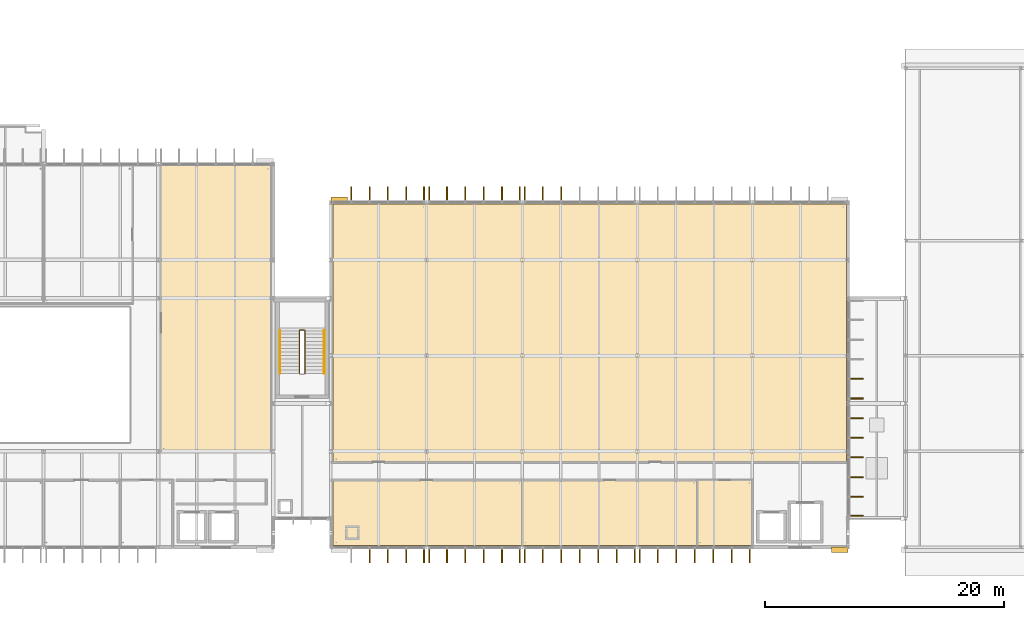
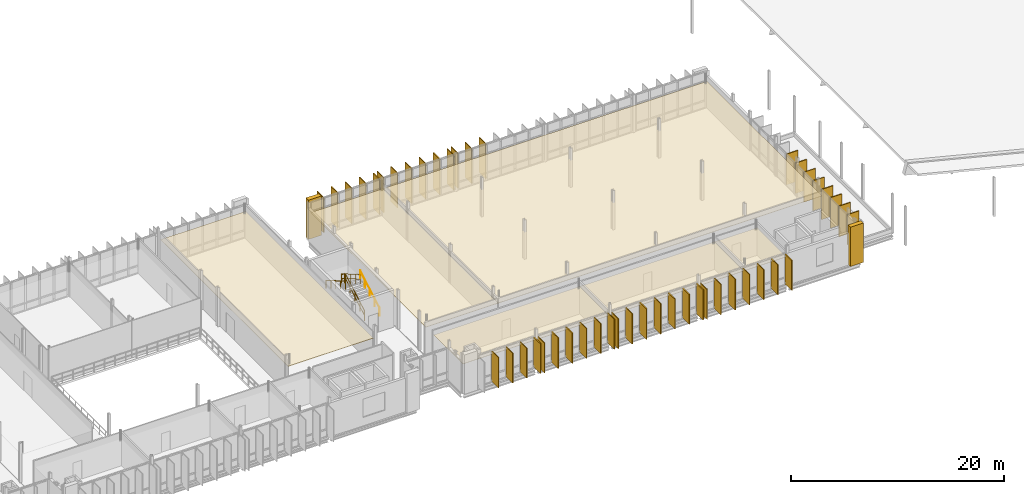
# One storey, part 89 of 93: 54 coverings, 5 railings.
"""IFC4 building model written with IfcOpenShell, lengths in metres."""

from ifc_helpers import new_model, si_unit, direction, frame, origin, origin_2d, place, context, subcontext, project, spatial, polyline, rectangle, circle, outline, extrude, material, layer, layer_set, type_object, element, save


model = new_model("IFC4")

# Units and contexts
model_context = context("Model", 3, precision=1e-05, world=origin(), true_north=direction((0.0, 1.0)))
body_context = subcontext(model_context, "Body", "Model", "MODEL_VIEW")
ifc_project = project(units=[si_unit("LENGTHUNIT", "METRE"), si_unit("AREAUNIT", "SQUARE_METRE"), si_unit("VOLUMEUNIT", "CUBIC_METRE"), si_unit("PLANEANGLEUNIT", "RADIAN"), si_unit("MASSUNIT", "GRAM", prefix="KILO")], contexts=[model_context])

# Site, building, storey
site_placement = place(None, origin())
site = spatial("IfcSite", under=ifc_project, at=site_placement, CompositionType="ELEMENT")
building_placement = place(site_placement, origin())
building = spatial("IfcBuilding", under=site, at=building_placement, Name="Dunescarp Central Library", CompositionType="ELEMENT")
storey_placement = place(building_placement, frame((0.0, 0.0, 14.10009765625)))
storey = spatial("IfcBuildingStorey", under=building, at=storey_placement, Name="L03", CompositionType="ELEMENT", Elevation=14.10009765625)

# Coverings
ifc_material_1 = material(Name="Perforated birch acoustic timber baffle", Category="wood")
ifc_layer_1 = layer(ifc_material_1, 0.050048828125)
ifc_layer_set_1 = layer_set([ifc_layer_1], Name="Perforated birch acoustic timber baffle")
covering_type_1 = type_object("IfcCoveringType", Name="ARC-COV-BAFFLE", PredefinedType="CEILING", material=ifc_layer_set_1)
covering_1_placement = place(storey_placement, frame((0.0, 0.0, 3.0498046875)))
element("IfcCovering", 1, at=covering_1_placement, inside=storey, type_object=covering_type_1, Name="L03 ceiling L03 East Stepped Reading Terrace", PredefinedType="CEILING", context=body_context, shape_type="SweptSolid", body=[
    extrude(outline(polyline([(67.3798828125, 12.780029296875), (76.6201171875, 12.780029296875), (76.6201171875, 36.679931640625), (67.3798828125, 36.679931640625), (67.3798828125, 12.780029296875)])), origin(), (0.0, 0.0, 1.0), 0.050048828125),
])
ifc_material_2 = material(Name="Mineral-fibre acoustic ceiling tile")
ifc_layer_2 = layer(ifc_material_2, 0.0400390625)
ifc_layer_set_2 = layer_set([ifc_layer_2], Name="Mineral-fibre acoustic ceiling tile")
covering_type_2 = type_object("IfcCoveringType", Name="ARC-COV-CEIL40", PredefinedType="CEILING", material=ifc_layer_set_2)
covering_2_placement = place(storey_placement, frame((0.0, 0.0, 3.0498046875)))
element("IfcCovering", 2, at=covering_2_placement, inside=storey, type_object=covering_type_2, Name="L03 ceiling Stacks Wing WC", PredefinedType="CEILING", context=body_context, shape_type="SweptSolid", body=[
    extrude(outline(polyline([(112.179931640625, 4.919921875), (116.820068359375, 4.919921875), (116.820068359375, 10.419921875), (112.179931640625, 10.419921875), (112.179931640625, 4.919921875)])), origin(), (0.0, 0.0, 1.0), 0.0400390625),
])
covering_3_placement = place(storey_placement, frame((0.0, 0.0, 3.0498046875)))
element("IfcCovering", 3, at=covering_3_placement, inside=storey, type_object=covering_type_2, Name="L03 ceiling L03 Seminar & Instruction Room", PredefinedType="CEILING", context=body_context, shape_type="SweptSolid", body=[
    extrude(outline(polyline([(81.780029296875, 4.919921875), (97.6201171875, 4.919921875), (97.6201171875, 10.419921875), (81.780029296875, 10.419921875), (81.780029296875, 4.919921875)])), origin(), (0.0, 0.0, 1.0), 0.0400390625),
])
covering_4_placement = place(storey_placement, frame((0.0, 0.0, 3.0498046875)))
element("IfcCovering", 4, at=covering_4_placement, inside=storey, type_object=covering_type_2, Name="L03 ceiling L03 Quiet Research Offices", PredefinedType="CEILING", context=body_context, shape_type="SweptSolid", body=[
    extrude(outline(polyline([(97.580078125, 4.919921875), (112.219970703125, 4.919921875), (112.219970703125, 10.419921875), (97.580078125, 10.419921875), (97.580078125, 4.919921875)])), origin(), (0.0, 0.0, 1.0), 0.0400390625),
])
covering_5_placement = place(storey_placement, frame((0.0, 0.0, 3.0498046875)))
element("IfcCovering", 5, at=covering_5_placement, inside=storey, type_object=covering_type_2, Name="L03 ceiling L03 High-Density Compact Book Stacks West", PredefinedType="CEILING", context=body_context, shape_type="SweptSolid", body=[
    extrude(outline(polyline([(81.780029296875, 11.8798828125), (89.6201171875, 11.8798828125), (89.6201171875, 33.47998046875), (81.780029296875, 33.47998046875), (81.780029296875, 11.8798828125)])), origin(), (0.0, 0.0, 1.0), 0.0400390625),
])
covering_6_placement = place(storey_placement, frame((0.0, 0.0, 3.0498046875)))
element("IfcCovering", 6, at=covering_6_placement, inside=storey, type_object=covering_type_2, Name="L03 ceiling L03 Open Lending Book Stacks East", PredefinedType="CEILING", context=body_context, shape_type="SweptSolid", body=[
    extrude(outline(polyline([(89.580078125, 11.8798828125), (124.679931640625, 11.8798828125), (124.679931640625, 33.47998046875), (89.580078125, 33.47998046875), (89.580078125, 11.8798828125)])), origin(), (0.0, 0.0, 1.0), 0.0400390625),
])
ifc_material_3 = material(Name="Glass-fibre reinforced concrete GRC", Category="concrete")
ifc_layer_3 = layer(ifc_material_3, 0.090087890625)
ifc_layer_set_3 = layer_set([ifc_layer_3], Name="Glass-fibre reinforced concrete GRC")
covering_type_3 = type_object("IfcCoveringType", Name="ARC-COV-FIN1250", PredefinedType="CLADDING", material=ifc_layer_set_3)
covering_7_placement = place(storey_placement, frame((89.385009765625, 4.137939453125, 0.1669921875), z_axis=(0.0, 0.0, 1.0), x_axis=(0.0, -1.0, 0.0)))
element("IfcCovering", 7, at=covering_7_placement, inside=storey, type_object=covering_type_3, Name="L03 parametric vertical facade fin FIN-L03-0664", PredefinedType="CLADDING", context=body_context, shape_type="SweptSolid", body=[
    extrude(rectangle(XDim=1.25, YDim=0.090087890625, at=origin_2d()), origin(), (0.0, 0.0, 1.0), 3.427978515625),
])
covering_8_placement = place(storey_placement, frame((87.89501953125, 4.137939453125, 0.180419921875), z_axis=(0.0, 0.0, 1.0), x_axis=(0.0, -1.0, 0.0)))
element("IfcCovering", 8, at=covering_8_placement, inside=storey, type_object=covering_type_3, Name="L03 parametric vertical facade fin FIN-L03-0665", PredefinedType="CLADDING", context=body_context, shape_type="SweptSolid", body=[
    extrude(rectangle(XDim=1.25, YDim=0.090087890625, at=origin_2d()), origin(), (0.0, 0.0, 1.0), 3.4150390625),
])
covering_9_placement = place(storey_placement, frame((86.364990234375, 4.137939453125, 0.16357421875), z_axis=(0.0, 0.0, 1.0), x_axis=(0.0, -1.0, 0.0)))
element("IfcCovering", 9, at=covering_9_placement, inside=storey, type_object=covering_type_3, Name="L03 parametric vertical facade fin FIN-L03-0666", PredefinedType="CLADDING", context=body_context, shape_type="SweptSolid", body=[
    extrude(rectangle(XDim=1.25, YDim=0.090087890625, at=origin_2d()), origin(), (0.0, 0.0, 1.0), 3.430908203125),
])
covering_10_placement = place(storey_placement, frame((84.8349609375, 4.137939453125, 0.123046875), z_axis=(0.0, 0.0, 1.0), x_axis=(0.0, -1.0, 0.0)))
element("IfcCovering", 10, at=covering_10_placement, inside=storey, type_object=covering_type_3, Name="L03 parametric vertical facade fin FIN-L03-0667", PredefinedType="CLADDING", context=body_context, shape_type="SweptSolid", body=[
    extrude(rectangle(XDim=1.25, YDim=0.090087890625, at=origin_2d()), origin(), (0.0, 0.0, 1.0), 3.471923828125),
])
covering_11_placement = place(storey_placement, frame((97.385009765625, 4.137939453125, 0.1669921875), z_axis=(0.0, 0.0, 1.0), x_axis=(0.0, -1.0, 0.0)))
element("IfcCovering", 11, at=covering_11_placement, inside=storey, type_object=covering_type_3, Name="L03 parametric vertical facade fin FIN-L03-0669", PredefinedType="CLADDING", context=body_context, shape_type="SweptSolid", body=[
    extrude(rectangle(XDim=1.25, YDim=0.090087890625, at=origin_2d()), origin(), (0.0, 0.0, 1.0), 3.427978515625),
])
covering_12_placement = place(storey_placement, frame((95.89501953125, 4.137939453125, 0.180419921875), z_axis=(0.0, 0.0, 1.0), x_axis=(0.0, -1.0, 0.0)))
element("IfcCovering", 12, at=covering_12_placement, inside=storey, type_object=covering_type_3, Name="L03 parametric vertical facade fin FIN-L03-0670", PredefinedType="CLADDING", context=body_context, shape_type="SweptSolid", body=[
    extrude(rectangle(XDim=1.25, YDim=0.090087890625, at=origin_2d()), origin(), (0.0, 0.0, 1.0), 3.4150390625),
])
covering_13_placement = place(storey_placement, frame((94.364990234375, 4.137939453125, 0.16357421875), z_axis=(0.0, 0.0, 1.0), x_axis=(0.0, -1.0, 0.0)))
element("IfcCovering", 13, at=covering_13_placement, inside=storey, type_object=covering_type_3, Name="L03 parametric vertical facade fin FIN-L03-0671", PredefinedType="CLADDING", context=body_context, shape_type="SweptSolid", body=[
    extrude(rectangle(XDim=1.25, YDim=0.090087890625, at=origin_2d()), origin(), (0.0, 0.0, 1.0), 3.430908203125),
])
covering_14_placement = place(storey_placement, frame((92.8349609375, 4.137939453125, 0.123046875), z_axis=(0.0, 0.0, 1.0), x_axis=(0.0, -1.0, 0.0)))
element("IfcCovering", 14, at=covering_14_placement, inside=storey, type_object=covering_type_3, Name="L03 parametric vertical facade fin FIN-L03-0672", PredefinedType="CLADDING", context=body_context, shape_type="SweptSolid", body=[
    extrude(rectangle(XDim=1.25, YDim=0.090087890625, at=origin_2d()), origin(), (0.0, 0.0, 1.0), 3.471923828125),
])
covering_15_placement = place(storey_placement, frame((91.304931640625, 4.137939453125, 0.079833984375), z_axis=(0.0, 0.0, 1.0), x_axis=(0.0, -1.0, 0.0)))
element("IfcCovering", 15, at=covering_15_placement, inside=storey, type_object=covering_type_3, Name="L03 parametric vertical facade fin FIN-L03-0673", PredefinedType="CLADDING", context=body_context, shape_type="SweptSolid", body=[
    extrude(rectangle(XDim=1.25, YDim=0.090087890625, at=origin_2d()), origin(), (0.0, 0.0, 1.0), 3.50390625),
])
covering_16_placement = place(storey_placement, frame((89.81494140625, 4.137939453125, 0.079833984375), z_axis=(0.0, 0.0, 1.0), x_axis=(0.0, -1.0, 0.0)))
element("IfcCovering", 16, at=covering_16_placement, inside=storey, type_object=covering_type_3, Name="L03 parametric vertical facade fin FIN-L03-0674", PredefinedType="CLADDING", context=body_context, shape_type="SweptSolid", body=[
    extrude(rectangle(XDim=1.25, YDim=0.090087890625, at=origin_2d()), origin(), (0.0, 0.0, 1.0), 3.4541015625),
])
covering_17_placement = place(storey_placement, frame((106.985107421875, 4.137939453125, 0.1669921875), z_axis=(0.0, 0.0, 1.0), x_axis=(0.0, -1.0, 0.0)))
element("IfcCovering", 17, at=covering_17_placement, inside=storey, type_object=covering_type_3, Name="L03 parametric vertical facade fin FIN-L03-0675", PredefinedType="CLADDING", context=body_context, shape_type="SweptSolid", body=[
    extrude(rectangle(XDim=1.25, YDim=0.090087890625, at=origin_2d()), origin(), (0.0, 0.0, 1.0), 3.427978515625),
])
covering_18_placement = place(storey_placement, frame((105.48291015625, 4.137939453125, 0.180419921875), z_axis=(0.0, 0.0, 1.0), x_axis=(0.0, -1.0, 0.0)))
element("IfcCovering", 18, at=covering_18_placement, inside=storey, type_object=covering_type_3, Name="L03 parametric vertical facade fin FIN-L03-0676", PredefinedType="CLADDING", context=body_context, shape_type="SweptSolid", body=[
    extrude(rectangle(XDim=1.25, YDim=0.090087890625, at=origin_2d()), origin(), (0.0, 0.0, 1.0), 3.4150390625),
])
covering_19_placement = place(storey_placement, frame((103.94189453125, 4.137939453125, 0.16357421875), z_axis=(0.0, 0.0, 1.0), x_axis=(0.0, -1.0, 0.0)))
element("IfcCovering", 19, at=covering_19_placement, inside=storey, type_object=covering_type_3, Name="L03 parametric vertical facade fin FIN-L03-0677", PredefinedType="CLADDING", context=body_context, shape_type="SweptSolid", body=[
    extrude(rectangle(XDim=1.25, YDim=0.090087890625, at=origin_2d()), origin(), (0.0, 0.0, 1.0), 3.430908203125),
])
covering_20_placement = place(storey_placement, frame((102.39990234375, 4.137939453125, 0.123046875), z_axis=(0.0, 0.0, 1.0), x_axis=(0.0, -1.0, 0.0)))
element("IfcCovering", 20, at=covering_20_placement, inside=storey, type_object=covering_type_3, Name="L03 parametric vertical facade fin FIN-L03-0678", PredefinedType="CLADDING", context=body_context, shape_type="SweptSolid", body=[
    extrude(rectangle(XDim=1.25, YDim=0.090087890625, at=origin_2d()), origin(), (0.0, 0.0, 1.0), 3.471923828125),
])
covering_21_placement = place(storey_placement, frame((100.85791015625, 4.137939453125, 0.079833984375), z_axis=(0.0, 0.0, 1.0), x_axis=(0.0, -1.0, 0.0)))
element("IfcCovering", 21, at=covering_21_placement, inside=storey, type_object=covering_type_3, Name="L03 parametric vertical facade fin FIN-L03-0679", PredefinedType="CLADDING", context=body_context, shape_type="SweptSolid", body=[
    extrude(rectangle(XDim=1.25, YDim=0.090087890625, at=origin_2d()), origin(), (0.0, 0.0, 1.0), 3.50390625),
])
covering_22_placement = place(storey_placement, frame((99.31689453125, 4.137939453125, 0.079833984375), z_axis=(0.0, 0.0, 1.0), x_axis=(0.0, -1.0, 0.0)))
element("IfcCovering", 22, at=covering_22_placement, inside=storey, type_object=covering_type_3, Name="L03 parametric vertical facade fin FIN-L03-0680", PredefinedType="CLADDING", context=body_context, shape_type="SweptSolid", body=[
    extrude(rectangle(XDim=1.25, YDim=0.090087890625, at=origin_2d()), origin(), (0.0, 0.0, 1.0), 3.4541015625),
])
covering_23_placement = place(storey_placement, frame((97.81494140625, 4.137939453125, 0.079345703125), z_axis=(0.0, 0.0, 1.0), x_axis=(0.0, -1.0, 0.0)))
element("IfcCovering", 23, at=covering_23_placement, inside=storey, type_object=covering_type_3, Name="L03 parametric vertical facade fin FIN-L03-0681", PredefinedType="CLADDING", context=body_context, shape_type="SweptSolid", body=[
    extrude(rectangle(XDim=1.25, YDim=0.090087890625, at=origin_2d()), origin(), (0.0, 0.0, 1.0), 3.4208984375),
])
covering_24_placement = place(storey_placement, frame((116.5849609375, 4.137939453125, 0.1669921875), z_axis=(0.0, 0.0, 1.0), x_axis=(0.0, -1.0, 0.0)))
element("IfcCovering", 24, at=covering_24_placement, inside=storey, type_object=covering_type_3, Name="L03 parametric vertical facade fin FIN-L03-0682", PredefinedType="CLADDING", context=body_context, shape_type="SweptSolid", body=[
    extrude(rectangle(XDim=1.25, YDim=0.090087890625, at=origin_2d()), origin(), (0.0, 0.0, 1.0), 3.427978515625),
])
covering_25_placement = place(storey_placement, frame((115.0830078125, 4.137939453125, 0.180419921875), z_axis=(0.0, 0.0, 1.0), x_axis=(0.0, -1.0, 0.0)))
element("IfcCovering", 25, at=covering_25_placement, inside=storey, type_object=covering_type_3, Name="L03 parametric vertical facade fin FIN-L03-0683", PredefinedType="CLADDING", context=body_context, shape_type="SweptSolid", body=[
    extrude(rectangle(XDim=1.25, YDim=0.090087890625, at=origin_2d()), origin(), (0.0, 0.0, 1.0), 3.4150390625),
])
covering_26_placement = place(storey_placement, frame((113.5419921875, 4.137939453125, 0.16357421875), z_axis=(0.0, 0.0, 1.0), x_axis=(0.0, -1.0, 0.0)))
element("IfcCovering", 26, at=covering_26_placement, inside=storey, type_object=covering_type_3, Name="L03 parametric vertical facade fin FIN-L03-0684", PredefinedType="CLADDING", context=body_context, shape_type="SweptSolid", body=[
    extrude(rectangle(XDim=1.25, YDim=0.090087890625, at=origin_2d()), origin(), (0.0, 0.0, 1.0), 3.430908203125),
])
covering_27_placement = place(storey_placement, frame((112.0, 4.137939453125, 0.123046875), z_axis=(0.0, 0.0, 1.0), x_axis=(0.0, -1.0, 0.0)))
element("IfcCovering", 27, at=covering_27_placement, inside=storey, type_object=covering_type_3, Name="L03 parametric vertical facade fin FIN-L03-0685", PredefinedType="CLADDING", context=body_context, shape_type="SweptSolid", body=[
    extrude(rectangle(XDim=1.25, YDim=0.090087890625, at=origin_2d()), origin(), (0.0, 0.0, 1.0), 3.471923828125),
])
covering_28_placement = place(storey_placement, frame((110.4580078125, 4.137939453125, 0.079833984375), z_axis=(0.0, 0.0, 1.0), x_axis=(0.0, -1.0, 0.0)))
element("IfcCovering", 28, at=covering_28_placement, inside=storey, type_object=covering_type_3, Name="L03 parametric vertical facade fin FIN-L03-0686", PredefinedType="CLADDING", context=body_context, shape_type="SweptSolid", body=[
    extrude(rectangle(XDim=1.25, YDim=0.090087890625, at=origin_2d()), origin(), (0.0, 0.0, 1.0), 3.50390625),
])
covering_29_placement = place(storey_placement, frame((108.9169921875, 4.137939453125, 0.079833984375), z_axis=(0.0, 0.0, 1.0), x_axis=(0.0, -1.0, 0.0)))
element("IfcCovering", 29, at=covering_29_placement, inside=storey, type_object=covering_type_3, Name="L03 parametric vertical facade fin FIN-L03-0687", PredefinedType="CLADDING", context=body_context, shape_type="SweptSolid", body=[
    extrude(rectangle(XDim=1.25, YDim=0.090087890625, at=origin_2d()), origin(), (0.0, 0.0, 1.0), 3.4541015625),
])
covering_30_placement = place(storey_placement, frame((107.4150390625, 4.137939453125, 0.079345703125), z_axis=(0.0, 0.0, 1.0), x_axis=(0.0, -1.0, 0.0)))
element("IfcCovering", 30, at=covering_30_placement, inside=storey, type_object=covering_type_3, Name="L03 parametric vertical facade fin FIN-L03-0688", PredefinedType="CLADDING", context=body_context, shape_type="SweptSolid", body=[
    extrude(rectangle(XDim=1.25, YDim=0.090087890625, at=origin_2d()), origin(), (0.0, 0.0, 1.0), 3.4208984375),
])
covering_31_placement = place(storey_placement, frame((83.304931640625, 34.261962890625, 0.1796875), z_axis=(0.0, 0.0, 1.0), x_axis=(0.0, 1.0, 0.0)))
element("IfcCovering", 31, at=covering_31_placement, inside=storey, type_object=covering_type_3, Name="L03 parametric vertical facade fin FIN-L03-0689", PredefinedType="CLADDING", context=body_context, shape_type="SweptSolid", body=[
    extrude(rectangle(XDim=1.25, YDim=0.090087890625, at=origin_2d()), origin(), (0.0, 0.0, 1.0), 3.989990234375),
])
covering_32_placement = place(storey_placement, frame((84.8349609375, 34.261962890625, 0.1640625), z_axis=(0.0, 0.0, 1.0), x_axis=(0.0, 1.0, 0.0)))
element("IfcCovering", 32, at=covering_32_placement, inside=storey, type_object=covering_type_3, Name="L03 parametric vertical facade fin FIN-L03-0690", PredefinedType="CLADDING", context=body_context, shape_type="SweptSolid", body=[
    extrude(rectangle(XDim=1.25, YDim=0.090087890625, at=origin_2d()), origin(), (0.0, 0.0, 1.0), 4.006103515625),
])
covering_33_placement = place(storey_placement, frame((86.364990234375, 34.261962890625, 0.12353515625), z_axis=(0.0, 0.0, 1.0), x_axis=(0.0, 1.0, 0.0)))
element("IfcCovering", 33, at=covering_33_placement, inside=storey, type_object=covering_type_3, Name="L03 parametric vertical facade fin FIN-L03-0691", PredefinedType="CLADDING", context=body_context, shape_type="SweptSolid", body=[
    extrude(rectangle(XDim=1.25, YDim=0.090087890625, at=origin_2d()), origin(), (0.0, 0.0, 1.0), 4.047119140625),
])
covering_34_placement = place(storey_placement, frame((87.89501953125, 34.261962890625, 0.080322265625), z_axis=(0.0, 0.0, 1.0), x_axis=(0.0, 1.0, 0.0)))
element("IfcCovering", 34, at=covering_34_placement, inside=storey, type_object=covering_type_3, Name="L03 parametric vertical facade fin FIN-L03-0692", PredefinedType="CLADDING", context=body_context, shape_type="SweptSolid", body=[
    extrude(rectangle(XDim=1.25, YDim=0.090087890625, at=origin_2d()), origin(), (0.0, 0.0, 1.0), 4.0791015625),
])
covering_35_placement = place(storey_placement, frame((89.385009765625, 34.261962890625, 0.07958984375), z_axis=(0.0, 0.0, 1.0), x_axis=(0.0, 1.0, 0.0)))
element("IfcCovering", 35, at=covering_35_placement, inside=storey, type_object=covering_type_3, Name="L03 parametric vertical facade fin FIN-L03-0693", PredefinedType="CLADDING", context=body_context, shape_type="SweptSolid", body=[
    extrude(rectangle(XDim=1.25, YDim=0.090087890625, at=origin_2d()), origin(), (0.0, 0.0, 1.0), 4.029052734375),
])
covering_36_placement = place(storey_placement, frame((89.81494140625, 34.261962890625, 0.16650390625), z_axis=(0.0, 0.0, 1.0), x_axis=(0.0, 1.0, 0.0)))
element("IfcCovering", 36, at=covering_36_placement, inside=storey, type_object=covering_type_3, Name="L03 parametric vertical facade fin FIN-L03-0694", PredefinedType="CLADDING", context=body_context, shape_type="SweptSolid", body=[
    extrude(rectangle(XDim=1.25, YDim=0.090087890625, at=origin_2d()), origin(), (0.0, 0.0, 1.0), 4.0029296875),
])
covering_37_placement = place(storey_placement, frame((91.304931640625, 34.261962890625, 0.1796875), z_axis=(0.0, 0.0, 1.0), x_axis=(0.0, 1.0, 0.0)))
element("IfcCovering", 37, at=covering_37_placement, inside=storey, type_object=covering_type_3, Name="L03 parametric vertical facade fin FIN-L03-0695", PredefinedType="CLADDING", context=body_context, shape_type="SweptSolid", body=[
    extrude(rectangle(XDim=1.25, YDim=0.090087890625, at=origin_2d()), origin(), (0.0, 0.0, 1.0), 3.989990234375),
])
covering_38_placement = place(storey_placement, frame((92.8349609375, 34.261962890625, 0.1640625), z_axis=(0.0, 0.0, 1.0), x_axis=(0.0, 1.0, 0.0)))
element("IfcCovering", 38, at=covering_38_placement, inside=storey, type_object=covering_type_3, Name="L03 parametric vertical facade fin FIN-L03-0696", PredefinedType="CLADDING", context=body_context, shape_type="SweptSolid", body=[
    extrude(rectangle(XDim=1.25, YDim=0.090087890625, at=origin_2d()), origin(), (0.0, 0.0, 1.0), 4.006103515625),
])
covering_39_placement = place(storey_placement, frame((94.364990234375, 34.261962890625, 0.12353515625), z_axis=(0.0, 0.0, 1.0), x_axis=(0.0, 1.0, 0.0)))
element("IfcCovering", 39, at=covering_39_placement, inside=storey, type_object=covering_type_3, Name="L03 parametric vertical facade fin FIN-L03-0697", PredefinedType="CLADDING", context=body_context, shape_type="SweptSolid", body=[
    extrude(rectangle(XDim=1.25, YDim=0.090087890625, at=origin_2d()), origin(), (0.0, 0.0, 1.0), 4.047119140625),
])
covering_40_placement = place(storey_placement, frame((95.89501953125, 34.261962890625, 0.080322265625), z_axis=(0.0, 0.0, 1.0), x_axis=(0.0, 1.0, 0.0)))
element("IfcCovering", 40, at=covering_40_placement, inside=storey, type_object=covering_type_3, Name="L03 parametric vertical facade fin FIN-L03-0698", PredefinedType="CLADDING", context=body_context, shape_type="SweptSolid", body=[
    extrude(rectangle(XDim=1.25, YDim=0.090087890625, at=origin_2d()), origin(), (0.0, 0.0, 1.0), 4.0791015625),
])
covering_41_placement = place(storey_placement, frame((97.385009765625, 34.261962890625, 0.07958984375), z_axis=(0.0, 0.0, 1.0), x_axis=(0.0, 1.0, 0.0)))
element("IfcCovering", 41, at=covering_41_placement, inside=storey, type_object=covering_type_3, Name="L03 parametric vertical facade fin FIN-L03-0699", PredefinedType="CLADDING", context=body_context, shape_type="SweptSolid", body=[
    extrude(rectangle(XDim=1.25, YDim=0.090087890625, at=origin_2d()), origin(), (0.0, 0.0, 1.0), 4.029052734375),
])
covering_42_placement = place(storey_placement, frame((97.81494140625, 34.261962890625, 0.16650390625), z_axis=(0.0, 0.0, 1.0), x_axis=(0.0, 1.0, 0.0)))
element("IfcCovering", 42, at=covering_42_placement, inside=storey, type_object=covering_type_3, Name="L03 parametric vertical facade fin FIN-L03-0700", PredefinedType="CLADDING", context=body_context, shape_type="SweptSolid", body=[
    extrude(rectangle(XDim=1.25, YDim=0.090087890625, at=origin_2d()), origin(), (0.0, 0.0, 1.0), 4.0029296875),
])
covering_43_placement = place(storey_placement, frame((99.31689453125, 34.261962890625, 0.1796875), z_axis=(0.0, 0.0, 1.0), x_axis=(0.0, 1.0, 0.0)))
element("IfcCovering", 43, at=covering_43_placement, inside=storey, type_object=covering_type_3, Name="L03 parametric vertical facade fin FIN-L03-0701", PredefinedType="CLADDING", context=body_context, shape_type="SweptSolid", body=[
    extrude(rectangle(XDim=1.25, YDim=0.090087890625, at=origin_2d()), origin(), (0.0, 0.0, 1.0), 3.989990234375),
])
covering_44_placement = place(storey_placement, frame((100.85791015625, 34.261962890625, 0.1640625), z_axis=(0.0, 0.0, 1.0), x_axis=(0.0, 1.0, 0.0)))
element("IfcCovering", 44, at=covering_44_placement, inside=storey, type_object=covering_type_3, Name="L03 parametric vertical facade fin FIN-L03-0702", PredefinedType="CLADDING", context=body_context, shape_type="SweptSolid", body=[
    extrude(rectangle(XDim=1.25, YDim=0.090087890625, at=origin_2d()), origin(), (0.0, 0.0, 1.0), 4.006103515625),
])
covering_45_placement = place(storey_placement, frame((125.4619140625, 18.861083984375, 0.08056640625), z_axis=(0.0, 0.0, 1.0), x_axis=(1.0, 0.0, 0.0)))
element("IfcCovering", 45, at=covering_45_placement, inside=storey, type_object=covering_type_3, Name="L03 parametric vertical facade fin FIN-L03-0723", PredefinedType="CLADDING", context=body_context, shape_type="SweptSolid", body=[
    extrude(rectangle(XDim=1.25, YDim=0.090087890625, at=origin_2d()), origin(), (0.0, 0.0, 1.0), 3.514892578125),
])
covering_46_placement = place(storey_placement, frame((125.4619140625, 17.219970703125, 0.07958984375), z_axis=(0.0, 0.0, 1.0), x_axis=(1.0, 0.0, 0.0)))
element("IfcCovering", 46, at=covering_46_placement, inside=storey, type_object=covering_type_3, Name="L03 parametric vertical facade fin FIN-L03-0724", PredefinedType="CLADDING", context=body_context, shape_type="SweptSolid", body=[
    extrude(rectangle(XDim=1.25, YDim=0.090087890625, at=origin_2d()), origin(), (0.0, 0.0, 1.0), 3.465087890625),
])
covering_47_placement = place(storey_placement, frame((125.4619140625, 15.580078125, 0.080078125), z_axis=(0.0, 0.0, 1.0), x_axis=(1.0, 0.0, 0.0)))
element("IfcCovering", 47, at=covering_47_placement, inside=storey, type_object=covering_type_3, Name="L03 parametric vertical facade fin FIN-L03-0725", PredefinedType="CLADDING", context=body_context, shape_type="SweptSolid", body=[
    extrude(rectangle(XDim=1.25, YDim=0.090087890625, at=origin_2d()), origin(), (0.0, 0.0, 1.0), 3.431884765625),
])
covering_48_placement = place(storey_placement, frame((125.4619140625, 13.93896484375, 0.080078125), z_axis=(0.0, 0.0, 1.0), x_axis=(1.0, 0.0, 0.0)))
element("IfcCovering", 48, at=covering_48_placement, inside=storey, type_object=covering_type_3, Name="L03 parametric vertical facade fin FIN-L03-0726", PredefinedType="CLADDING", context=body_context, shape_type="SweptSolid", body=[
    extrude(rectangle(XDim=1.25, YDim=0.090087890625, at=origin_2d()), origin(), (0.0, 0.0, 1.0), 3.427978515625),
])
covering_49_placement = place(storey_placement, frame((125.4619140625, 12.298095703125, 0.080078125), z_axis=(0.0, 0.0, 1.0), x_axis=(1.0, 0.0, 0.0)))
element("IfcCovering", 49, at=covering_49_placement, inside=storey, type_object=covering_type_3, Name="L03 parametric vertical facade fin FIN-L03-0727", PredefinedType="CLADDING", context=body_context, shape_type="SweptSolid", body=[
    extrude(rectangle(XDim=1.25, YDim=0.090087890625, at=origin_2d()), origin(), (0.0, 0.0, 1.0), 3.451904296875),
])
covering_50_placement = place(storey_placement, frame((125.4619140625, 10.656982421875, 0.079833984375), z_axis=(0.0, 0.0, 1.0), x_axis=(1.0, 0.0, 0.0)))
element("IfcCovering", 50, at=covering_50_placement, inside=storey, type_object=covering_type_3, Name="L03 parametric vertical facade fin FIN-L03-0728", PredefinedType="CLADDING", context=body_context, shape_type="SweptSolid", body=[
    extrude(rectangle(XDim=1.25, YDim=0.090087890625, at=origin_2d()), origin(), (0.0, 0.0, 1.0), 3.498046875),
])
covering_51_placement = place(storey_placement, frame((125.4619140625, 9.01611328125, 0.10595703125), z_axis=(0.0, 0.0, 1.0), x_axis=(1.0, 0.0, 0.0)))
element("IfcCovering", 51, at=covering_51_placement, inside=storey, type_object=covering_type_3, Name="L03 parametric vertical facade fin FIN-L03-0729", PredefinedType="CLADDING", context=body_context, shape_type="SweptSolid", body=[
    extrude(rectangle(XDim=1.25, YDim=0.090087890625, at=origin_2d()), origin(), (0.0, 0.0, 1.0), 3.5),
])
covering_52_placement = place(storey_placement, frame((125.4619140625, 7.4150390625, 0.15234375), z_axis=(0.0, 0.0, 1.0), x_axis=(1.0, 0.0, 0.0)))
element("IfcCovering", 52, at=covering_52_placement, inside=storey, type_object=covering_type_3, Name="L03 parametric vertical facade fin FIN-L03-0730", PredefinedType="CLADDING", context=body_context, shape_type="SweptSolid", body=[
    extrude(rectangle(XDim=1.25, YDim=0.090087890625, at=origin_2d()), origin(), (0.0, 0.0, 1.0), 3.452880859375),
])
ifc_layer_4 = layer(ifc_material_3, 0.449951171875)
ifc_layer_set_4 = layer_set([ifc_layer_4], Name="Glass-fibre reinforced concrete GRC")
covering_type_4 = type_object("IfcCoveringType", Name="ARC-COV-PORTAL", PredefinedType="CLADDING", material=ifc_layer_set_4)
for number, where, z_axis, x_axis, name in (
    (53, (82.300048828125, 33.820068359375, 0.0), (0.0, 0.0, 1.0), (1.0, 0.0, 0.0), "V3 sculpted GRC portal pier PRT-BAND-V3-040"),
    (54, (124.10009765625, 4.580078125, 0.0), (0.0, 0.0, 1.0), (1.0, 0.0, 0.0), "V3 sculpted GRC portal pier PRT-BAND-V3-041"),
):
    element("IfcCovering", number, at=place(storey_placement, frame(where, z_axis=z_axis, x_axis=x_axis)), inside=storey, type_object=covering_type_4, Name=name, PredefinedType="CLADDING", context=body_context, shape_type="SweptSolid", body=[
        extrude(rectangle(XDim=1.39990234375, YDim=0.449951171875, at=origin_2d()), origin(), (0.0, 0.0, 1.0), 4.5),
    ])

# Railings
ifc_material_4 = material(Name="Stainless steel Grade 316L", Category="steel")
railing_type_1 = type_object("IfcRailingType", Name="ARC-RL-GUARD", PredefinedType="GUARDRAIL", material=ifc_material_4)
railing_1_placement = place(storey_placement, frame((79.429931640625, 19.300048828125, 0.173095703125)))
element("IfcRailing", 55, at=railing_1_placement, inside=storey, type_object=railing_type_1, Name="L03 ST-3 stair guard 1", PredefinedType="GUARDRAIL", context=body_context, shape_type="SweptSolid", body=[
    extrude(circle(Radius=0.02392578125, at=origin_2d()), frame((0.0, 0.0, 1.076171875), z_axis=(0.0, 0.866178740119, 0.499734319579), x_axis=(-1.0, 0.0, 0.0)), (0.0, 0.0, 1.0), 4.156005859375),
    extrude(circle(Radius=0.02392578125, at=origin_2d()), frame((0.0, 0.0, 0.550048828125), z_axis=(0.0, 0.866178740119, 0.499734319579), x_axis=(-1.0, 0.0, 0.0)), (0.0, 0.0, 1.0), 4.156005859375),
    extrude(circle(Radius=0.02099609375, at=origin_2d()), origin(), (0.0, 0.0, 1.0), 1.052001953125),
    extrude(circle(Radius=0.02099609375, at=origin_2d()), frame((0.0, 0.89990234375, 0.519287109375)), (0.0, 0.0, 1.0), 1.052001953125),
    extrude(circle(Radius=0.02099609375, at=origin_2d()), frame((0.0, 1.7998046875, 1.03857421875)), (0.0, 0.0, 1.0), 1.052001953125),
    extrude(circle(Radius=0.02099609375, at=origin_2d()), frame((0.0, 2.699951171875, 1.5576171875)), (0.0, 0.0, 1.0), 1.052001953125),
    extrude(circle(Radius=0.02099609375, at=origin_2d()), frame((0.0, 3.599853515625, 2.076904296875)), (0.0, 0.0, 1.0), 1.052001953125),
])
railing_2_placement = place(storey_placement, frame((79.3798828125, 22.949951171875, 2.25)))
element("IfcRailing", 56, at=railing_2_placement, inside=storey, type_object=railing_type_1, Name="L03 ST-3 stair guard 2", PredefinedType="GUARDRAIL", context=body_context, shape_type="SweptSolid", body=[
    extrude(circle(Radius=0.02392578125, at=origin_2d()), frame((0.0, 0.0, 1.076171875), z_axis=(-1.0, 0.0, 0.0), x_axis=(0.0, -1.0, 0.0)), (0.0, 0.0, 1.0), 0.35986328125),
    extrude(circle(Radius=0.02392578125, at=origin_2d()), frame((0.0, 0.0, 0.550048828125), z_axis=(-1.0, 0.0, 0.0), x_axis=(0.0, -1.0, 0.0)), (0.0, 0.0, 1.0), 0.35986328125),
    extrude(circle(Radius=0.02099609375, at=origin_2d()), origin(), (0.0, 0.0, 1.0), 1.052001953125),
    extrude(circle(Radius=0.02099609375, at=origin_2d()), frame((-0.35986328125, 0.0, 0.0)), (0.0, 0.0, 1.0), 1.052001953125),
])
railing_3_placement = place(storey_placement, frame((78.969970703125, 22.89990234375, 2.423095703125)))
element("IfcRailing", 57, at=railing_3_placement, inside=storey, type_object=railing_type_1, Name="L03 ST-3 stair guard 3", PredefinedType="GUARDRAIL", context=body_context, shape_type="SweptSolid", body=[
    extrude(circle(Radius=0.02392578125, at=origin_2d()), frame((0.0, 0.0, 1.076171875), z_axis=(0.0, -0.866178740119, 0.499734319579), x_axis=(1.0, 0.0, 0.0)), (0.0, 0.0, 1.0), 4.156005859375),
    extrude(circle(Radius=0.02392578125, at=origin_2d()), frame((0.0, 0.0, 0.550048828125), z_axis=(0.0, -0.866178740119, 0.499734319579), x_axis=(1.0, 0.0, 0.0)), (0.0, 0.0, 1.0), 4.156005859375),
    extrude(circle(Radius=0.02099609375, at=origin_2d()), origin(), (0.0, 0.0, 1.0), 1.052001953125),
    extrude(circle(Radius=0.02099609375, at=origin_2d()), frame((0.0, -0.89990234375, 0.519287109375)), (0.0, 0.0, 1.0), 1.052001953125),
    extrude(circle(Radius=0.02099609375, at=origin_2d()), frame((0.0, -1.7998046875, 1.03857421875)), (0.0, 0.0, 1.0), 1.052001953125),
    extrude(circle(Radius=0.02099609375, at=origin_2d()), frame((0.0, -2.699951171875, 1.5576171875)), (0.0, 0.0, 1.0), 1.052001953125),
    extrude(circle(Radius=0.02099609375, at=origin_2d()), frame((0.0, -3.599853515625, 2.076904296875)), (0.0, 0.0, 1.0), 1.052001953125),
])
railing_type_2 = type_object("IfcRailingType", Name="ARC-RL-HAND", PredefinedType="HANDRAIL", material=ifc_material_4)
railing_4_placement = place(storey_placement, frame((81.050048828125, 19.300048828125, 0.173095703125)))
element("IfcRailing", 58, at=railing_4_placement, inside=storey, type_object=railing_type_2, Name="L03 ST-3 stair handrail 1", PredefinedType="HANDRAIL", context=body_context, shape_type="SweptSolid", body=[
    extrude(circle(Radius=0.02392578125, at=origin_2d()), frame((0.0, 0.0, 0.8857421875), z_axis=(0.0, 0.866178740119, 0.499734319579), x_axis=(-1.0, 0.0, 0.0)), (0.0, 0.0, 1.0), 4.156005859375),
    extrude(circle(Radius=0.02099609375, at=origin_2d()), origin(), (0.0, 0.0, 1.0), 0.86181640625),
    extrude(circle(Radius=0.02099609375, at=origin_2d()), frame((0.0, 0.89990234375, 0.519287109375)), (0.0, 0.0, 1.0), 0.86181640625),
    extrude(circle(Radius=0.02099609375, at=origin_2d()), frame((0.0, 1.7998046875, 1.03857421875)), (0.0, 0.0, 1.0), 0.86181640625),
    extrude(circle(Radius=0.02099609375, at=origin_2d()), frame((0.0, 2.699951171875, 1.5576171875)), (0.0, 0.0, 1.0), 0.86181640625),
    extrude(circle(Radius=0.02099609375, at=origin_2d()), frame((0.0, 3.599853515625, 2.076904296875)), (0.0, 0.0, 1.0), 0.86181640625),
])
railing_5_placement = place(storey_placement, frame((77.35009765625, 22.89990234375, 2.423095703125)))
element("IfcRailing", 59, at=railing_5_placement, inside=storey, type_object=railing_type_2, Name="L03 ST-3 stair handrail 2", PredefinedType="HANDRAIL", context=body_context, shape_type="SweptSolid", body=[
    extrude(circle(Radius=0.02392578125, at=origin_2d()), frame((0.0, 0.0, 0.8857421875), z_axis=(0.0, -0.866178740119, 0.499734319579), x_axis=(1.0, 0.0, 0.0)), (0.0, 0.0, 1.0), 4.156005859375),
    extrude(circle(Radius=0.02099609375, at=origin_2d()), origin(), (0.0, 0.0, 1.0), 0.86181640625),
    extrude(circle(Radius=0.02099609375, at=origin_2d()), frame((0.0, -0.89990234375, 0.519287109375)), (0.0, 0.0, 1.0), 0.86181640625),
    extrude(circle(Radius=0.02099609375, at=origin_2d()), frame((0.0, -1.7998046875, 1.03857421875)), (0.0, 0.0, 1.0), 0.86181640625),
    extrude(circle(Radius=0.02099609375, at=origin_2d()), frame((0.0, -2.699951171875, 1.5576171875)), (0.0, 0.0, 1.0), 0.86181640625),
    extrude(circle(Radius=0.02099609375, at=origin_2d()), frame((0.0, -3.599853515625, 2.076904296875)), (0.0, 0.0, 1.0), 0.86181640625),
])

save(model, "model.ifc")
